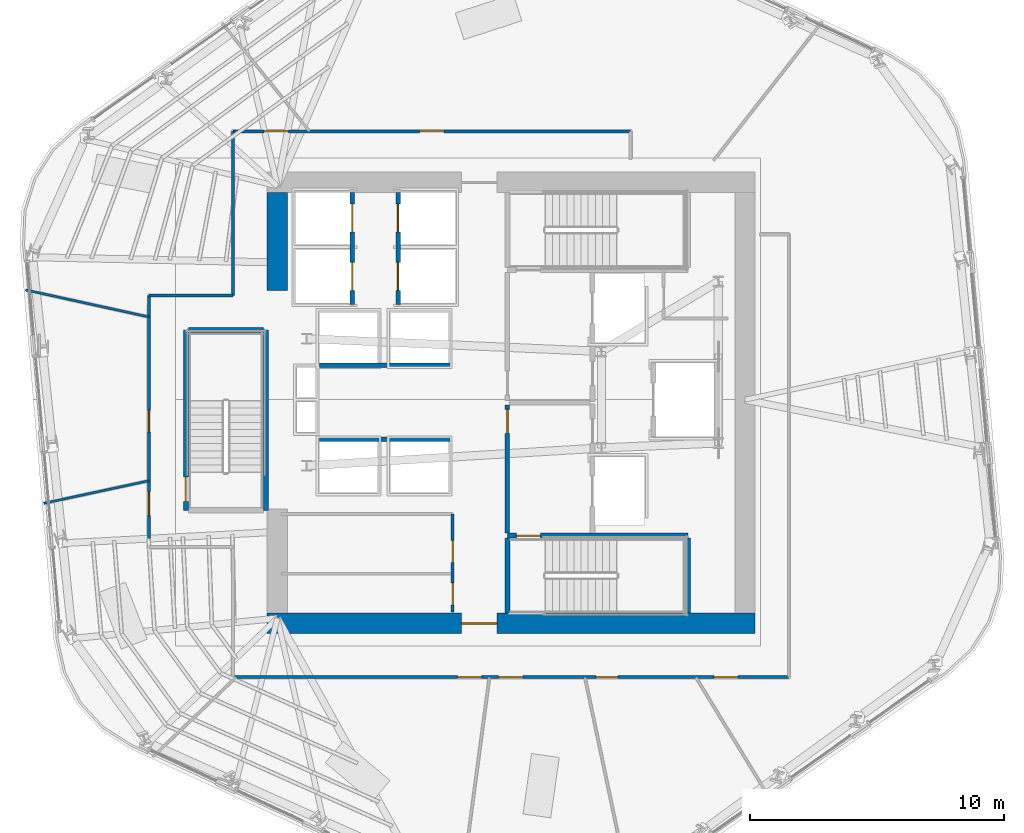
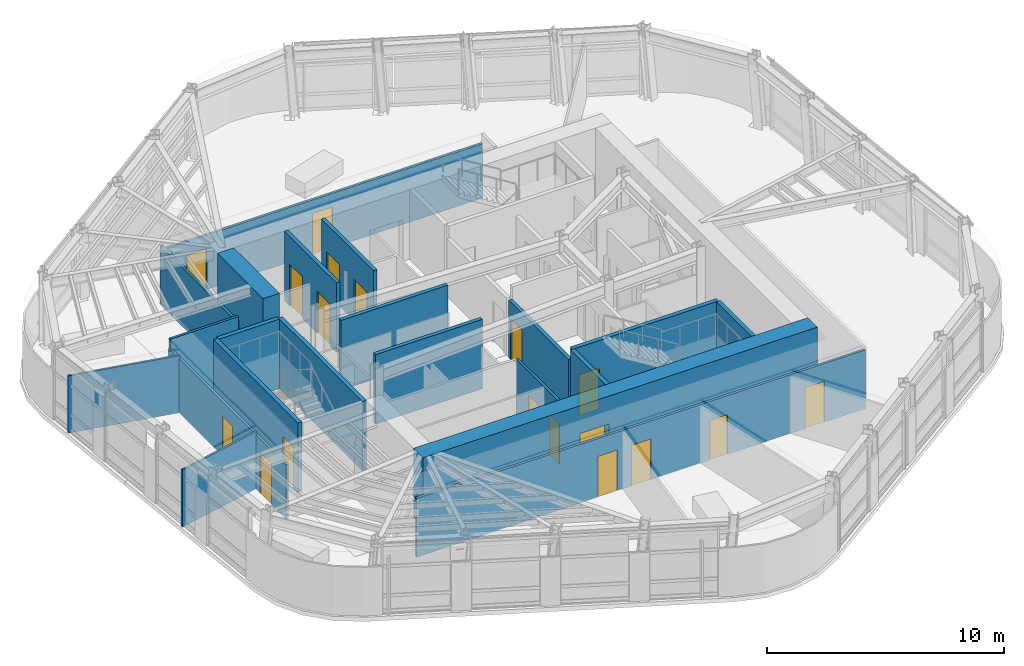
# One storey, part 8 of 14: 21 walls, 18 doors, 18 openings.
"""IFC4 building model written with IfcOpenShell, lengths in metres."""

from ifc_helpers import new_model, si_unit, direction, frame, frame_2d, origin, place, context, subcontext, project, spatial, rectangle, extrude, material, layer, layer_set, type_object, element, fill, save


model = new_model("IFC4")

# Units and contexts
model_context = context("Model", 3, precision=1e-05, world=origin(), true_north=direction((0.0, 1.0)))
body_context = subcontext(model_context, "Body", "Model", "MODEL_VIEW")
ifc_project = project(units=[si_unit("LENGTHUNIT", "METRE"), si_unit("AREAUNIT", "SQUARE_METRE"), si_unit("VOLUMEUNIT", "CUBIC_METRE"), si_unit("PLANEANGLEUNIT", "RADIAN"), si_unit("MASSUNIT", "GRAM", prefix="KILO")], contexts=[model_context])

# Site, building, storey
site_placement = place(None, origin())
site = spatial("IfcSite", under=ifc_project, at=site_placement, CompositionType="ELEMENT")
building_placement = place(site_placement, origin())
building = spatial("IfcBuilding", under=site, at=building_placement, Name="Valkerne Bourse Tower", CompositionType="ELEMENT")
storey_placement = place(building_placement, frame((0.0, 0.0, 174.199951171875)))
storey = spatial("IfcBuildingStorey", under=building, at=storey_placement, Name="L44", CompositionType="ELEMENT", Elevation=174.199951171875)

# Wall, opening, door
ifc_material_1 = material(Name="Concrete C55/67", Category="concrete")
ifc_layer_1 = layer(ifc_material_1, 0.800048828125)
ifc_layer_set_1 = layer_set([ifc_layer_1], Name="Concrete C55/67")
wall_type_1 = type_object("IfcWallType", Name="W-CORE-800", PredefinedType="SHEAR", material=ifc_layer_set_1)
wall_1_placement = place(storey_placement, frame((37.199951171875, 18.199951171875, 0.0), z_axis=(0.0, 0.0, 1.0), x_axis=(1.0, 0.0, 0.0)))
wall_1 = element("IfcWall", 1, at=wall_1_placement, inside=storey, type_object=wall_type_1, Name="L44 Core Shear Wall SOUTH", PredefinedType="SHEAR", context=body_context, shape_type="SweptSolid", body=[
    extrude(rectangle(XDim=19.199951171875, YDim=0.800048828125, at=frame_2d((9.60009765625, 0.0))), origin(), (0.0, 0.0, 1.0), 3.580078125),
])
opening_1_placement = place(wall_1_placement, frame((7.64990234375, 0.0, 0.0)))
opening_1 = element("IfcOpeningElement", 2, at=opening_1_placement, cuts=wall_1, Name="Opening D-PL-1400", PredefinedType="OPENING", context=body_context, shape_type="SweptSolid", body=[
    extrude(rectangle(XDim=1.39990234375, YDim=2.14990234375, at=frame_2d((0.699951171875, 1.074951171875))), frame((0.0, 0.409912109375, 0.0), z_axis=(0.0, -1.0, 0.0), x_axis=(1.0, 0.0, 0.0)), (0.0, 0.0, 1.0), 0.820068359375),
])
ifc_material_2 = material(Name="Galvanised Painted Steel", Category="steel")
door_type_1 = type_object("IfcDoorType", Name="DR-PLT-1400", OperationType="DOUBLE_DOOR_SINGLE_SWING", PredefinedType="DOOR", material=ifc_material_2)
door_1_placement = place(opening_1_placement, origin())
door_1 = element("IfcDoor", 3, at=door_1_placement, inside=storey, type_object=door_type_1, Name="L44 South Passenger Lift Hall Fire Door", OperationType="DOUBLE_DOOR_SINGLE_SWING", OverallHeight=2.14990234375, OverallWidth=1.39990234375, PredefinedType="DOOR", context=body_context, shape_type="SweptSolid", body=[
    extrude(rectangle(XDim=1.39990234375, YDim=2.14990234375, at=frame_2d((0.699951171875, 1.074951171875))), frame((0.0, 0.02490234375, 0.0), z_axis=(0.0, -1.0, 0.0), x_axis=(1.0, 0.0, 0.0)), (0.0, 0.0, 1.0), 0.050048828125),
])
fill(opening_1, door_1)

# Wall
wall_2_placement = place(storey_placement, frame((37.60009765625, 31.300048828125, 0.0), z_axis=(0.0, 0.0, 1.0), x_axis=(0.0, 1.0, 0.0)))
element("IfcWall", 4, at=wall_2_placement, inside=storey, type_object=wall_type_1, Name="L44 Core Shear Wall WEST-N", PredefinedType="SHEAR", context=body_context, shape_type="SweptSolid", body=[
    extrude(rectangle(XDim=3.849853515625, YDim=0.800048828125, at=frame_2d((1.9248046875, 0.0))), origin(), (0.0, 0.0, 1.0), 3.580078125),
])

# Wall, openings, doors
ifc_material_3 = material(Name="Gypsum Board Steel-Stud Partition", Category="steel")
ifc_layer_2 = layer(ifc_material_3, 0.117919921875)
ifc_layer_set_2 = layer_set([ifc_layer_2], Name="Gypsum Board Steel-Stud Partition")
wall_type_2 = type_object("IfcWallType", Name="W-CORR-140", PredefinedType="PARTITIONING", material=ifc_layer_set_2)
wall_3_placement = place(storey_placement, frame((44.5, 18.64990234375, 0.0), z_axis=(0.0, 0.0, 1.0), x_axis=(0.0, 1.0, 0.0)))
wall_3 = element("IfcWall", 5, at=wall_3_placement, inside=storey, type_object=wall_type_2, Name="L44 LV7 Low-Bank East Wall", PredefinedType="PARTITIONING", context=body_context, shape_type="SweptSolid", body=[
    extrude(rectangle(XDim=3.85009765625, YDim=0.117919921875, at=frame_2d((1.925048828125, 0.0))), origin(), (0.0, 0.0, 1.0), 3.280029296875),
])
opening_2_placement = place(wall_3_placement, frame((0.280029296875, 0.0, 0.0)))
opening_2 = element("IfcOpeningElement", 6, at=opening_2_placement, cuts=wall_3, Name="Opening D-WC-900", PredefinedType="OPENING", context=body_context, shape_type="SweptSolid", body=[
    extrude(rectangle(XDim=0.860107421875, YDim=2.050048828125, at=frame_2d((0.43017578125, 1.02490234375))), frame((0.0, 0.06884765625, 0.0), z_axis=(0.0, -1.0, 0.0), x_axis=(1.0, 0.0, 0.0)), (0.0, 0.0, 1.0), 0.137939453125),
])
opening_3_placement = place(wall_3_placement, frame((1.949951171875, 0.0, 0.0)))
opening_3 = element("IfcOpeningElement", 7, at=opening_3_placement, cuts=wall_3, Name="Opening D-WC-900", PredefinedType="OPENING", context=body_context, shape_type="SweptSolid", body=[
    extrude(rectangle(XDim=0.860107421875, YDim=2.050048828125, at=frame_2d((0.43017578125, 1.02490234375))), frame((0.0, 0.06884765625, 0.0), z_axis=(0.0, -1.0, 0.0), x_axis=(1.0, 0.0, 0.0)), (0.0, 0.0, 1.0), 0.137939453125),
])
ifc_material_4 = material(Name="Architectural White Oak Timber", Category="wood")
door_type_2 = type_object("IfcDoorType", Name="DR-WC-900", OperationType="NOTDEFINED", PredefinedType="DOOR", material=ifc_material_4)
door_2_placement = place(opening_2_placement, origin())
door_2 = element("IfcDoor", 8, at=door_2_placement, inside=storey, type_object=door_type_2, Name="L44 Tea Pantry Door", OperationType="SINGLE_SWING_LEFT", OverallHeight=2.050048828125, OverallWidth=0.860107421875, PredefinedType="DOOR", context=body_context, shape_type="SweptSolid", body=[
    extrude(rectangle(XDim=0.860107421875, YDim=2.050048828125, at=frame_2d((0.43017578125, 1.02490234375))), frame((0.0, 0.02490234375, 0.0), z_axis=(0.0, -1.0, 0.0), x_axis=(1.0, 0.0, 0.0)), (0.0, 0.0, 1.0), 0.050048828125),
])
fill(opening_2, door_2)
door_3_placement = place(opening_3_placement, origin())
door_3 = element("IfcDoor", 9, at=door_3_placement, inside=storey, type_object=door_type_2, Name="L44 Portfolio Risk Office Door", OperationType="SINGLE_SWING_LEFT", OverallHeight=2.050048828125, OverallWidth=0.860107421875, PredefinedType="DOOR", context=body_context, shape_type="SweptSolid", body=[
    extrude(rectangle(XDim=0.860107421875, YDim=2.050048828125, at=frame_2d((0.43017578125, 1.02490234375))), frame((0.0, 0.02490234375, 0.0), z_axis=(0.0, -1.0, 0.0), x_axis=(1.0, 0.0, 0.0)), (0.0, 0.0, 1.0), 0.050048828125),
])
fill(opening_3, door_3)

wall_4_placement = place(storey_placement, frame((32.550048828125, 21.199951171875, 0.0), z_axis=(0.0, 0.0, 1.0), x_axis=(0.0, 1.0, 0.0)))
wall_4 = element("IfcWall", 10, at=wall_4_placement, inside=storey, type_object=wall_type_2, Name="L44 Corridor Enclosure Wall", PredefinedType="PARTITIONING", context=body_context, shape_type="SweptSolid", body=[
    extrude(rectangle(XDim=9.900146484375, YDim=0.117919921875, at=frame_2d((4.9501953125, 0.0))), origin(), (0.0, 0.0, 1.0), 2.800537109375),
])
opening_4_placement = place(wall_4_placement, frame((4.52001953125, 0.0, 0.0)))
opening_4 = element("IfcOpeningElement", 11, at=opening_4_placement, cuts=wall_4, Name="Opening D-WC-900", PredefinedType="OPENING", context=body_context, shape_type="SweptSolid", body=[
    extrude(rectangle(XDim=0.860107421875, YDim=2.050048828125, at=frame_2d((0.43017578125, 1.02490234375))), frame((0.0, 0.06884765625, 0.0), z_axis=(0.0, -1.0, 0.0), x_axis=(1.0, 0.0, 0.0)), (0.0, 0.0, 1.0), 0.137939453125),
])
opening_5_placement = place(wall_4_placement, frame((1.235107421875, 0.0, 0.0)))
opening_5 = element("IfcOpeningElement", 12, at=opening_5_placement, cuts=wall_4, Name="Opening D-OF-950", PredefinedType="OPENING", context=body_context, shape_type="SweptSolid", body=[
    extrude(rectangle(XDim=0.949951171875, YDim=2.10009765625, at=frame_2d((0.47509765625, 1.050048828125))), frame((0.0, 0.06884765625, 0.0), z_axis=(0.0, -1.0, 0.0), x_axis=(1.0, 0.0, 0.0)), (0.0, 0.0, 1.0), 0.137939453125),
])
door_type_3 = type_object("IfcDoorType", Name="DR-OFF-950", OperationType="NOTDEFINED", PredefinedType="DOOR", material=ifc_material_4)
door_4_placement = place(opening_5_placement, origin())
door_4 = element("IfcDoor", 13, at=door_4_placement, inside=storey, type_object=door_type_3, Name="L44 L44 Exchange Security Control Room 4 Door", OperationType="SINGLE_SWING_LEFT", OverallHeight=2.10009765625, OverallWidth=0.949951171875, PredefinedType="DOOR", context=body_context, shape_type="SweptSolid", body=[
    extrude(rectangle(XDim=0.949951171875, YDim=2.10009765625, at=frame_2d((0.47509765625, 1.050048828125))), frame((0.0, 0.02490234375, 0.0), z_axis=(0.0, -1.0, 0.0), x_axis=(1.0, 0.0, 0.0)), (0.0, 0.0, 1.0), 0.050048828125),
])
fill(opening_5, door_4)
door_5_placement = place(opening_4_placement, origin())
door_5 = element("IfcDoor", 14, at=door_5_placement, inside=storey, type_object=door_type_2, Name="L44 L44 Men Bathroom WC 1 Door", OperationType="SINGLE_SWING_LEFT", OverallHeight=2.050048828125, OverallWidth=0.860107421875, PredefinedType="DOOR", context=body_context, shape_type="SweptSolid", body=[
    extrude(rectangle(XDim=0.860107421875, YDim=2.050048828125, at=frame_2d((0.43017578125, 1.02490234375))), frame((0.0, 0.02490234375, 0.0), z_axis=(0.0, -1.0, 0.0), x_axis=(1.0, 0.0, 0.0)), (0.0, 0.0, 1.0), 0.050048828125),
])
fill(opening_4, door_5)

# Walls
wall_5_placement = place(storey_placement, frame((32.550048828125, 31.10009765625, 0.0), z_axis=(0.0, 0.0, 1.0), x_axis=(1.0, 0.0, 0.0)))
element("IfcWall", 15, at=wall_5_placement, inside=storey, type_object=wall_type_2, Name="L44 Corridor Enclosure Wall", PredefinedType="PARTITIONING", context=body_context, shape_type="SweptSolid", body=[
    extrude(rectangle(XDim=3.300048828125, YDim=0.117919921875, at=frame_2d((1.64990234375, 0.0))), origin(), (0.0, 0.0, 1.0), 3.280029296875),
])
wall_6_placement = place(storey_placement, frame((35.85009765625, 31.10009765625, 0.0), z_axis=(0.0, 0.0, 1.0), x_axis=(0.0, 1.0, 0.0)))
element("IfcWall", 16, at=wall_6_placement, inside=storey, type_object=wall_type_2, Name="L44 Corridor Enclosure Wall", PredefinedType="PARTITIONING", context=body_context, shape_type="SweptSolid", body=[
    extrude(rectangle(XDim=6.4599609375, YDim=0.117919921875, at=frame_2d((3.22998046875, 0.0))), origin(), (0.0, 0.0, 1.0), 3.021484375),
])

# Wall, openings, doors
wall_7_placement = place(storey_placement, frame((35.85009765625, 37.56005859375, 0.0), z_axis=(0.0, 0.0, 1.0), x_axis=(1.0, 0.0, 0.0)))
wall_7 = element("IfcWall", 17, at=wall_7_placement, inside=storey, type_object=wall_type_2, Name="L44 Corridor Enclosure Wall", PredefinedType="PARTITIONING", context=body_context, shape_type="SweptSolid", body=[
    extrude(rectangle(XDim=15.64990234375, YDim=0.117919921875, at=frame_2d((7.824951171875, 0.0))), origin(), (0.0, 0.0, 1.0), 2.800537109375),
])
opening_6_placement = place(wall_7_placement, frame((1.22998046875, 0.0, 0.0)))
opening_6 = element("IfcOpeningElement", 18, at=opening_6_placement, cuts=wall_7, Name="Opening D-OF-950", PredefinedType="OPENING", context=body_context, shape_type="SweptSolid", body=[
    extrude(rectangle(XDim=0.949951171875, YDim=2.10009765625, at=frame_2d((0.47509765625, 1.050048828125))), frame((0.0, 0.06884765625, 0.0), z_axis=(0.0, -1.0, 0.0), x_axis=(1.0, 0.0, 0.0)), (0.0, 0.0, 1.0), 0.137939453125),
])
opening_7_placement = place(wall_7_placement, frame((7.35009765625, 0.0, 0.0)))
opening_7 = element("IfcOpeningElement", 19, at=opening_7_placement, cuts=wall_7, Name="Opening D-OF-950", PredefinedType="OPENING", context=body_context, shape_type="SweptSolid", body=[
    extrude(rectangle(XDim=0.949951171875, YDim=2.10009765625, at=frame_2d((0.47509765625, 1.050048828125))), frame((0.0, 0.06884765625, 0.0), z_axis=(0.0, -1.0, 0.0), x_axis=(1.0, 0.0, 0.0)), (0.0, 0.0, 1.0), 0.137939453125),
])
door_6_placement = place(opening_6_placement, origin())
door_6 = element("IfcDoor", 20, at=door_6_placement, inside=storey, type_object=door_type_3, Name="L44 L44 Trading Desk Office 6 Door", OperationType="SINGLE_SWING_RIGHT", OverallHeight=2.10009765625, OverallWidth=0.949951171875, PredefinedType="DOOR", context=body_context, shape_type="SweptSolid", body=[
    extrude(rectangle(XDim=0.949951171875, YDim=2.10009765625, at=frame_2d((0.47509765625, 1.050048828125))), frame((0.0, 0.02490234375, 0.0), z_axis=(0.0, -1.0, 0.0), x_axis=(1.0, 0.0, 0.0)), (0.0, 0.0, 1.0), 0.050048828125),
])
fill(opening_6, door_6)
door_7_placement = place(opening_7_placement, origin())
door_7 = element("IfcDoor", 21, at=door_7_placement, inside=storey, type_object=door_type_3, Name="L44 L44 Executive Economics Study Room 7 Door", OperationType="SINGLE_SWING_RIGHT", OverallHeight=2.10009765625, OverallWidth=0.949951171875, PredefinedType="DOOR", context=body_context, shape_type="SweptSolid", body=[
    extrude(rectangle(XDim=0.949951171875, YDim=2.10009765625, at=frame_2d((0.47509765625, 1.050048828125))), frame((0.0, 0.02490234375, 0.0), z_axis=(0.0, -1.0, 0.0), x_axis=(1.0, 0.0, 0.0)), (0.0, 0.0, 1.0), 0.050048828125),
])
fill(opening_7, door_7)

wall_8_placement = place(storey_placement, frame((57.719970703125, 16.080078125, 0.0), z_axis=(0.0, 0.0, 1.0), x_axis=(-1.0, 0.0, 0.0)))
wall_8 = element("IfcWall", 22, at=wall_8_placement, inside=storey, type_object=wall_type_2, Name="L44 Corridor Enclosure Wall", PredefinedType="PARTITIONING", context=body_context, shape_type="SweptSolid", body=[
    extrude(rectangle(XDim=21.869873046875, YDim=0.117919921875, at=frame_2d((10.93505859375, 0.0))), origin(), (0.0, 0.0, 1.0), 3.021484375),
])
opening_8_placement = place(wall_8_placement, frame((6.72509765625, 0.0, 0.0)))
opening_8 = element("IfcOpeningElement", 23, at=opening_8_placement, cuts=wall_8, Name="Opening D-WC-900", PredefinedType="OPENING", context=body_context, shape_type="SweptSolid", body=[
    extrude(rectangle(XDim=0.860107421875, YDim=2.050048828125, at=frame_2d((0.43017578125, 1.02490234375))), frame((0.0, 0.06884765625, 0.0), z_axis=(0.0, -1.0, 0.0), x_axis=(1.0, 0.0, 0.0)), (0.0, 0.0, 1.0), 0.137939453125),
])
opening_9_placement = place(wall_8_placement, frame((10.4599609375, 0.0, 0.0)))
opening_9 = element("IfcOpeningElement", 24, at=opening_9_placement, cuts=wall_8, Name="Opening D-OF-950", PredefinedType="OPENING", context=body_context, shape_type="SweptSolid", body=[
    extrude(rectangle(XDim=0.949951171875, YDim=2.10009765625, at=frame_2d((0.47509765625, 1.050048828125))), frame((0.0, 0.06884765625, 0.0), z_axis=(0.0, -1.0, 0.0), x_axis=(1.0, 0.0, 0.0)), (0.0, 0.0, 1.0), 0.137939453125),
])
opening_10_placement = place(wall_8_placement, frame((12.080078125, 0.0, 0.0)))
opening_10 = element("IfcOpeningElement", 25, at=opening_10_placement, cuts=wall_8, Name="Opening D-OF-950", PredefinedType="OPENING", context=body_context, shape_type="SweptSolid", body=[
    extrude(rectangle(XDim=0.949951171875, YDim=2.10009765625, at=frame_2d((0.47509765625, 1.050048828125))), frame((0.0, 0.06884765625, 0.0), z_axis=(0.0, -1.0, 0.0), x_axis=(1.0, 0.0, 0.0)), (0.0, 0.0, 1.0), 0.137939453125),
])
opening_11_placement = place(wall_8_placement, frame((2.0, 0.0, 0.0)))
opening_11 = element("IfcOpeningElement", 26, at=opening_11_placement, cuts=wall_8, Name="Opening D-OF-950", PredefinedType="OPENING", context=body_context, shape_type="SweptSolid", body=[
    extrude(rectangle(XDim=0.949951171875, YDim=2.10009765625, at=frame_2d((0.47509765625, 1.050048828125))), frame((0.0, 0.06884765625, 0.0), z_axis=(0.0, -1.0, 0.0), x_axis=(1.0, 0.0, 0.0)), (0.0, 0.0, 1.0), 0.137939453125),
])
door_8_placement = place(opening_9_placement, origin())
door_8 = element("IfcDoor", 27, at=door_8_placement, inside=storey, type_object=door_type_3, Name="L44 L44 Exchange Security Control Room 3 Door", OperationType="SINGLE_SWING_LEFT", OverallHeight=2.10009765625, OverallWidth=0.949951171875, PredefinedType="DOOR", context=body_context, shape_type="SweptSolid", body=[
    extrude(rectangle(XDim=0.949951171875, YDim=2.10009765625, at=frame_2d((0.47509765625, 1.050048828125))), frame((0.0, 0.02490234375, 0.0), z_axis=(0.0, -1.0, 0.0), x_axis=(1.0, 0.0, 0.0)), (0.0, 0.0, 1.0), 0.050048828125),
])
fill(opening_9, door_8)
door_9_placement = place(opening_10_placement, origin())
door_9 = element("IfcDoor", 28, at=door_9_placement, inside=storey, type_object=door_type_3, Name="L44 L44 Trading Desk Office 5 Door", OperationType="SINGLE_SWING_RIGHT", OverallHeight=2.10009765625, OverallWidth=0.949951171875, PredefinedType="DOOR", context=body_context, shape_type="SweptSolid", body=[
    extrude(rectangle(XDim=0.949951171875, YDim=2.10009765625, at=frame_2d((0.47509765625, 1.050048828125))), frame((0.0, 0.02490234375, 0.0), z_axis=(0.0, -1.0, 0.0), x_axis=(1.0, 0.0, 0.0)), (0.0, 0.0, 1.0), 0.050048828125),
])
fill(opening_10, door_9)
door_10_placement = place(opening_11_placement, origin())
door_10 = element("IfcDoor", 29, at=door_10_placement, inside=storey, type_object=door_type_3, Name="L44 L44 Occupational Wellness Clinic 8 Door", OperationType="SINGLE_SWING_RIGHT", OverallHeight=2.10009765625, OverallWidth=0.949951171875, PredefinedType="DOOR", context=body_context, shape_type="SweptSolid", body=[
    extrude(rectangle(XDim=0.949951171875, YDim=2.10009765625, at=frame_2d((0.47509765625, 1.050048828125))), frame((0.0, 0.02490234375, 0.0), z_axis=(0.0, -1.0, 0.0), x_axis=(1.0, 0.0, 0.0)), (0.0, 0.0, 1.0), 0.050048828125),
])
fill(opening_11, door_10)
door_11_placement = place(opening_8_placement, origin())
door_11 = element("IfcDoor", 30, at=door_11_placement, inside=storey, type_object=door_type_2, Name="L44 L44 Women Restroom & Shower WC 2 Door", OperationType="SINGLE_SWING_LEFT", OverallHeight=2.050048828125, OverallWidth=0.860107421875, PredefinedType="DOOR", context=body_context, shape_type="SweptSolid", body=[
    extrude(rectangle(XDim=0.860107421875, YDim=2.050048828125, at=frame_2d((0.43017578125, 1.02490234375))), frame((0.0, 0.02490234375, 0.0), z_axis=(0.0, -1.0, 0.0), x_axis=(1.0, 0.0, 0.0)), (0.0, 0.0, 1.0), 0.050048828125),
])
fill(opening_8, door_11)

# Wall, opening, door
ifc_material_5 = material(Name="Gypsum Fire-Rated Shaftwall", Category="gypsum")
ifc_layer_3 = layer(ifc_material_5, 0.179931640625)
ifc_layer_set_3 = layer_set([ifc_layer_3], Name="Gypsum Fire-Rated Shaftwall")
wall_type_3 = type_object("IfcWallType", Name="W-FSAE-180", PredefinedType="PARTITIONING", material=ifc_layer_set_3)
wall_9_placement = place(storey_placement, frame((46.64990234375, 21.75, 0.0), z_axis=(0.0, 0.0, 1.0), x_axis=(0.0, 1.0, 0.0)))
wall_9 = element("IfcWall", 31, at=wall_9_placement, inside=storey, type_object=wall_type_3, Name="L44 FSAE-1 Lobby West Fire Wall", PredefinedType="PARTITIONING", context=body_context, shape_type="SweptSolid", body=[
    extrude(rectangle(XDim=5.050048828125, YDim=0.179931640625, at=frame_2d((2.52490234375, 0.0))), origin(), (0.0, 0.0, 1.0), 2.9580078125),
])
opening_12_placement = place(wall_9_placement, frame((3.919921875, 0.0, 0.0)))
opening_12 = element("IfcOpeningElement", 32, at=opening_12_placement, cuts=wall_9, Name="Opening D-FS-950", PredefinedType="OPENING", context=body_context, shape_type="SweptSolid", body=[
    extrude(rectangle(XDim=0.949951171875, YDim=2.10009765625, at=frame_2d((0.47509765625, 1.050048828125))), frame((0.0, 0.099853515625, 0.0), z_axis=(0.0, -1.0, 0.0), x_axis=(1.0, 0.0, 0.0)), (0.0, 0.0, 1.0), 0.199951171875),
])
door_type_4 = type_object("IfcDoorType", Name="DR-FSAE-950", OperationType="NOTDEFINED", PredefinedType="DOOR", material=ifc_material_2)
door_12_placement = place(opening_12_placement, origin())
door_12 = element("IfcDoor", 33, at=door_12_placement, inside=storey, type_object=door_type_4, Name="L44 FSAE-1 Hall Link Fire Door", OperationType="SINGLE_SWING_RIGHT", OverallHeight=2.10009765625, OverallWidth=0.949951171875, PredefinedType="DOOR", context=body_context, shape_type="SweptSolid", body=[
    extrude(rectangle(XDim=0.949951171875, YDim=2.10009765625, at=frame_2d((0.47509765625, 1.050048828125))), frame((0.0, 0.02490234375, 0.0), z_axis=(0.0, -1.0, 0.0), x_axis=(1.0, 0.0, 0.0)), (0.0, 0.0, 1.0), 0.050048828125),
])
fill(opening_12, door_12)

# Wall, openings, doors
ifc_material_6 = material(Name="CMU Blockwork Masonry 200mm", Category="masonry")
ifc_layer_4 = layer(ifc_material_6, 0.179931640625)
ifc_layer_set_4 = layer_set([ifc_layer_4], Name="CMU Blockwork Masonry 200mm")
wall_type_4 = type_object("IfcWallType", Name="W-LFT-180", PredefinedType="SOLIDWALL", material=ifc_layer_set_4)
wall_10_placement = place(storey_placement, frame((40.550048828125, 30.75, 0.0), z_axis=(0.0, 0.0, 1.0), x_axis=(0.0, 1.0, 0.0)))
wall_10 = element("IfcWall", 34, at=wall_10_placement, inside=storey, type_object=wall_type_4, Name="L44 Mid-Zone West Cars Front Wall", PredefinedType="SOLIDWALL", context=body_context, shape_type="SweptSolid", body=[
    extrude(rectangle(XDim=4.39990234375, YDim=0.179931640625, at=frame_2d((2.199951171875, 0.0))), origin(), (0.0, 0.0, 1.0), 3.580078125),
])
opening_13_placement = place(wall_10_placement, frame((0.550048828125, 0.0, 0.0)))
opening_13 = element("IfcOpeningElement", 35, at=opening_13_placement, cuts=wall_10, Name="Opening LD-1100", PredefinedType="OPENING", context=body_context, shape_type="SweptSolid", body=[
    extrude(rectangle(XDim=1.10009765625, YDim=2.14990234375, at=frame_2d((0.550048828125, 1.074951171875))), frame((0.0, 0.099853515625, 0.0), z_axis=(0.0, -1.0, 0.0), x_axis=(1.0, 0.0, 0.0)), (0.0, 0.0, 1.0), 0.199951171875),
])
opening_14_placement = place(wall_10_placement, frame((2.85009765625, 0.0, 0.0)))
opening_14 = element("IfcOpeningElement", 36, at=opening_14_placement, cuts=wall_10, Name="Opening LD-1100", PredefinedType="OPENING", context=body_context, shape_type="SweptSolid", body=[
    extrude(rectangle(XDim=1.10009765625, YDim=2.14990234375, at=frame_2d((0.550048828125, 1.074951171875))), frame((0.0, 0.099853515625, 0.0), z_axis=(0.0, -1.0, 0.0), x_axis=(1.0, 0.0, 0.0)), (0.0, 0.0, 1.0), 0.199951171875),
])
ifc_material_7 = material(Name="Stainless Steel AISI 316", Category="steel")
door_type_5 = type_object("IfcDoorType", Name="DR-LIFT-1100", OperationType="DOUBLE_DOOR_SLIDING", PredefinedType="DOOR", material=ifc_material_7)
door_13_placement = place(opening_13_placement, origin())
door_13 = element("IfcDoor", 37, at=door_13_placement, inside=storey, type_object=door_type_5, Name="L44 Passenger Lift PL-M1 Sliding Landing Door", OperationType="DOUBLE_DOOR_SLIDING", OverallHeight=2.14990234375, OverallWidth=1.10009765625, PredefinedType="DOOR", context=body_context, shape_type="SweptSolid", body=[
    extrude(rectangle(XDim=1.10009765625, YDim=2.14990234375, at=frame_2d((0.550048828125, 1.074951171875))), frame((0.0, 0.02490234375, 0.0), z_axis=(0.0, -1.0, 0.0), x_axis=(1.0, 0.0, 0.0)), (0.0, 0.0, 1.0), 0.050048828125),
])
fill(opening_13, door_13)
door_14_placement = place(opening_14_placement, origin())
door_14 = element("IfcDoor", 38, at=door_14_placement, inside=storey, type_object=door_type_5, Name="L44 Passenger Lift PL-M2 Sliding Landing Door", OperationType="DOUBLE_DOOR_SLIDING", OverallHeight=2.14990234375, OverallWidth=1.10009765625, PredefinedType="DOOR", context=body_context, shape_type="SweptSolid", body=[
    extrude(rectangle(XDim=1.10009765625, YDim=2.14990234375, at=frame_2d((0.550048828125, 1.074951171875))), frame((0.0, 0.02490234375, 0.0), z_axis=(0.0, -1.0, 0.0), x_axis=(1.0, 0.0, 0.0)), (0.0, 0.0, 1.0), 0.050048828125),
])
fill(opening_14, door_14)

wall_11_placement = place(storey_placement, frame((42.35009765625, 30.75, 0.0), z_axis=(0.0, 0.0, 1.0), x_axis=(0.0, 1.0, 0.0)))
wall_11 = element("IfcWall", 39, at=wall_11_placement, inside=storey, type_object=wall_type_4, Name="L44 Mid-Zone East Cars Front Wall", PredefinedType="SOLIDWALL", context=body_context, shape_type="SweptSolid", body=[
    extrude(rectangle(XDim=4.39990234375, YDim=0.179931640625, at=frame_2d((2.199951171875, 0.0))), origin(), (0.0, 0.0, 1.0), 3.580078125),
])
opening_15_placement = place(wall_11_placement, frame((0.550048828125, 0.0, 0.0)))
opening_15 = element("IfcOpeningElement", 40, at=opening_15_placement, cuts=wall_11, Name="Opening LD-1100", PredefinedType="OPENING", context=body_context, shape_type="SweptSolid", body=[
    extrude(rectangle(XDim=1.10009765625, YDim=2.14990234375, at=frame_2d((0.550048828125, 1.074951171875))), frame((0.0, 0.099853515625, 0.0), z_axis=(0.0, -1.0, 0.0), x_axis=(1.0, 0.0, 0.0)), (0.0, 0.0, 1.0), 0.199951171875),
])
opening_16_placement = place(wall_11_placement, frame((2.85009765625, 0.0, 0.0)))
opening_16 = element("IfcOpeningElement", 41, at=opening_16_placement, cuts=wall_11, Name="Opening LD-1100", PredefinedType="OPENING", context=body_context, shape_type="SweptSolid", body=[
    extrude(rectangle(XDim=1.10009765625, YDim=2.14990234375, at=frame_2d((0.550048828125, 1.074951171875))), frame((0.0, 0.099853515625, 0.0), z_axis=(0.0, -1.0, 0.0), x_axis=(1.0, 0.0, 0.0)), (0.0, 0.0, 1.0), 0.199951171875),
])
door_15_placement = place(opening_15_placement, origin())
door_15 = element("IfcDoor", 42, at=door_15_placement, inside=storey, type_object=door_type_5, Name="L44 Passenger Lift PL-M3 Sliding Landing Door", OperationType="DOUBLE_DOOR_SLIDING", OverallHeight=2.14990234375, OverallWidth=1.10009765625, PredefinedType="DOOR", context=body_context, shape_type="SweptSolid", body=[
    extrude(rectangle(XDim=1.10009765625, YDim=2.14990234375, at=frame_2d((0.550048828125, 1.074951171875))), frame((0.0, 0.02490234375, 0.0), z_axis=(0.0, -1.0, 0.0), x_axis=(1.0, 0.0, 0.0)), (0.0, 0.0, 1.0), 0.050048828125),
])
fill(opening_15, door_15)
door_16_placement = place(opening_16_placement, origin())
door_16 = element("IfcDoor", 43, at=door_16_placement, inside=storey, type_object=door_type_5, Name="L44 Passenger Lift PL-M4 Sliding Landing Door", OperationType="DOUBLE_DOOR_SLIDING", OverallHeight=2.14990234375, OverallWidth=1.10009765625, PredefinedType="DOOR", context=body_context, shape_type="SweptSolid", body=[
    extrude(rectangle(XDim=1.10009765625, YDim=2.14990234375, at=frame_2d((0.550048828125, 1.074951171875))), frame((0.0, 0.02490234375, 0.0), z_axis=(0.0, -1.0, 0.0), x_axis=(1.0, 0.0, 0.0)), (0.0, 0.0, 1.0), 0.050048828125),
])
fill(opening_16, door_16)

# Walls
for number, where, z_axis, x_axis, name in (
    (44, (39.25, 25.449951171875, 0.0), (0.0, 0.0, 1.0), (1.0, 0.0, 0.0), "L44 High-Zone South Cars Front Wall"),
    (45, (39.25, 28.35009765625, 0.0), (0.0, 0.0, 1.0), (1.0, 0.0, 0.0), "L44 High-Zone North Cars Front Wall"),
):
    element("IfcWall", number, at=place(storey_placement, frame(where, z_axis=z_axis, x_axis=x_axis)), inside=storey, type_object=wall_type_4, Name=name, PredefinedType="SOLIDWALL", context=body_context, shape_type="SweptSolid", body=[
        extrude(rectangle(XDim=5.199951171875, YDim=0.179931640625, at=frame_2d((2.60009765625, 0.0))), origin(), (0.0, 0.0, 1.0), 3.580078125),
    ])
ifc_layer_5 = layer(ifc_material_3, 0.092041015625)
ifc_layer_set_5 = layer_set([ifc_layer_5], Name="Gypsum Board Steel-Stud Partition")
wall_type_5 = type_object("IfcWallType", Name="W-PART-115", PredefinedType="PARTITIONING", material=ifc_layer_set_5)
wall_12_placement = place(storey_placement, frame((32.544921875, 30.25537109375, 0.0), z_axis=(0.0, 0.0, 1.0), x_axis=(-0.976830960551, 0.214012323264, 0.0)))
element("IfcWall", 46, at=wall_12_placement, inside=storey, type_object=wall_type_5, Name="L44 Suite Partition P06", PredefinedType="PARTITIONING", context=body_context, shape_type="SweptSolid", body=[
    extrude(rectangle(XDim=4.96240234375, YDim=0.092041015625, at=frame_2d((2.481201171875, 0.0))), origin(), (0.0, 0.0, 1.0), 2.942626953125),
])
wall_13_placement = place(storey_placement, frame((32.544921875, 23.81005859375, 0.0), z_axis=(0.0, 0.0, 1.0), x_axis=(-0.977706762906, -0.209974964624, 0.0)))
element("IfcWall", 47, at=wall_13_placement, inside=storey, type_object=wall_type_5, Name="L44 Suite Partition P07", PredefinedType="PARTITIONING", context=body_context, shape_type="SweptSolid", body=[
    extrude(rectangle(XDim=4.225341796875, YDim=0.092041015625, at=frame_2d((2.11279296875, 0.0))), origin(), (0.0, 0.0, 1.0), 2.942626953125),
])

# Wall, opening, door
ifc_material_8 = material(Name="Concrete C40/50", Category="concrete")
ifc_layer_6 = layer(ifc_material_8, 0.199951171875)
ifc_layer_set_6 = layer_set([ifc_layer_6], Name="Concrete C40/50")
wall_type_6 = type_object("IfcWallType", Name="W-SHF-200", PredefinedType="SHEAR", material=ifc_layer_set_6)
wall_14_placement = place(storey_placement, frame((46.64990234375, 21.64990234375, 0.0), z_axis=(0.0, 0.0, 1.0), x_axis=(1.0, 0.0, 0.0)))
wall_14 = element("IfcWall", 48, at=wall_14_placement, inside=storey, type_object=wall_type_6, Name="L44 Exit Stair ST-1 Structural Shaft Wall North", PredefinedType="SHEAR", context=body_context, shape_type="SweptSolid", body=[
    extrude(rectangle(XDim=7.10009765625, YDim=0.199951171875, at=frame_2d((3.550048828125, 0.0))), origin(), (0.0, 0.0, 1.0), 3.580078125),
])
opening_17_placement = place(wall_14_placement, frame((0.35009765625, 0.0, 0.0)))
opening_17 = element("IfcOpeningElement", 49, at=opening_17_placement, cuts=wall_14, Name="Opening D-ST-950", PredefinedType="OPENING", context=body_context, shape_type="SweptSolid", body=[
    extrude(rectangle(XDim=0.949951171875, YDim=2.10009765625, at=frame_2d((0.47509765625, 1.050048828125))), frame((0.0, 0.10986328125, 0.0), z_axis=(0.0, -1.0, 0.0), x_axis=(1.0, 0.0, 0.0)), (0.0, 0.0, 1.0), 0.219970703125),
])
door_type_6 = type_object("IfcDoorType", Name="DR-STAIR-950", OperationType="NOTDEFINED", PredefinedType="DOOR", material=ifc_material_2)
door_17_placement = place(opening_17_placement, origin())
door_17 = element("IfcDoor", 50, at=door_17_placement, inside=storey, type_object=door_type_6, Name="L44 Exit Stair ST-1 Door", OperationType="SINGLE_SWING_RIGHT", OverallHeight=2.10009765625, OverallWidth=0.949951171875, PredefinedType="DOOR", context=body_context, shape_type="SweptSolid", body=[
    extrude(rectangle(XDim=0.949951171875, YDim=2.10009765625, at=frame_2d((0.47509765625, 1.050048828125))), frame((0.0, 0.02490234375, 0.0), z_axis=(0.0, -1.0, 0.0), x_axis=(1.0, 0.0, 0.0)), (0.0, 0.0, 1.0), 0.050048828125),
])
fill(opening_17, door_17)

# Walls
for number, where, z_axis, x_axis, name in (
    (51, (46.64990234375, 18.60009765625, 0.0), (0.0, 0.0, 1.0), (0.0, 1.0, 0.0), "L44 Exit Stair ST-1 Structural Shaft Wall West"),
    (52, (53.75, 18.60009765625, 0.0), (0.0, 0.0, 1.0), (0.0, 1.0, 0.0), "L44 Exit Stair ST-1 Structural Shaft Wall East"),
):
    element("IfcWall", number, at=place(storey_placement, frame(where, z_axis=z_axis, x_axis=x_axis)), inside=storey, type_object=wall_type_6, Name=name, PredefinedType="SHEAR", context=body_context, shape_type="SweptSolid", body=[
        extrude(rectangle(XDim=2.949951171875, YDim=0.199951171875, at=frame_2d((1.47509765625, 0.0))), origin(), (0.0, 0.0, 1.0), 3.580078125),
    ])

# Wall, opening, door
wall_15_placement = place(storey_placement, frame((34.0, 22.64990234375, 0.0), z_axis=(0.0, 0.0, 1.0), x_axis=(0.0, 1.0, 0.0)))
wall_15 = element("IfcWall", 53, at=wall_15_placement, inside=storey, type_object=wall_type_6, Name="L44 Exit Stair ST-3 Structural Shaft Wall West", PredefinedType="SHEAR", context=body_context, shape_type="SweptSolid", body=[
    extrude(rectangle(XDim=7.10009765625, YDim=0.199951171875, at=frame_2d((3.550048828125, 0.0))), origin(), (0.0, 0.0, 1.0), 3.580078125),
])
opening_18_placement = place(wall_15_placement, frame((0.35009765625, 0.0, 0.0)))
opening_18 = element("IfcOpeningElement", 54, at=opening_18_placement, cuts=wall_15, Name="Opening D-ST-950", PredefinedType="OPENING", context=body_context, shape_type="SweptSolid", body=[
    extrude(rectangle(XDim=0.949951171875, YDim=2.10009765625, at=frame_2d((0.47509765625, 1.050048828125))), frame((0.0, 0.10986328125, 0.0), z_axis=(0.0, -1.0, 0.0), x_axis=(1.0, 0.0, 0.0)), (0.0, 0.0, 1.0), 0.219970703125),
])
door_18_placement = place(opening_18_placement, origin())
door_18 = element("IfcDoor", 55, at=door_18_placement, inside=storey, type_object=door_type_6, Name="L44 Exit Stair ST-3 Door", OperationType="SINGLE_SWING_RIGHT", OverallHeight=2.10009765625, OverallWidth=0.949951171875, PredefinedType="DOOR", context=body_context, shape_type="SweptSolid", body=[
    extrude(rectangle(XDim=0.949951171875, YDim=2.10009765625, at=frame_2d((0.47509765625, 1.050048828125))), frame((0.0, 0.02490234375, 0.0), z_axis=(0.0, -1.0, 0.0), x_axis=(1.0, 0.0, 0.0)), (0.0, 0.0, 1.0), 0.050048828125),
])
fill(opening_18, door_18)

# Walls
wall_16_placement = place(storey_placement, frame((34.10009765625, 29.75, 0.0), z_axis=(0.0, 0.0, 1.0), x_axis=(1.0, 0.0, 0.0)))
element("IfcWall", 56, at=wall_16_placement, inside=storey, type_object=wall_type_6, Name="L44 Exit Stair ST-3 Structural Shaft Wall North", PredefinedType="SHEAR", context=body_context, shape_type="SweptSolid", body=[
    extrude(rectangle(XDim=2.949951171875, YDim=0.199951171875, at=frame_2d((1.47509765625, 0.0))), origin(), (0.0, 0.0, 1.0), 3.580078125),
])
wall_17_placement = place(storey_placement, frame((37.14990234375, 22.64990234375, 0.0), z_axis=(0.0, 0.0, 1.0), x_axis=(0.0, 1.0, 0.0)))
element("IfcWall", 57, at=wall_17_placement, inside=storey, type_object=wall_type_6, Name="L44 Exit Stair ST-3 Structural Shaft Wall East", PredefinedType="SHEAR", context=body_context, shape_type="SweptSolid", body=[
    extrude(rectangle(XDim=7.10009765625, YDim=0.199951171875, at=frame_2d((3.550048828125, 0.0))), origin(), (0.0, 0.0, 1.0), 3.580078125),
])

save(model, "model.ifc")
